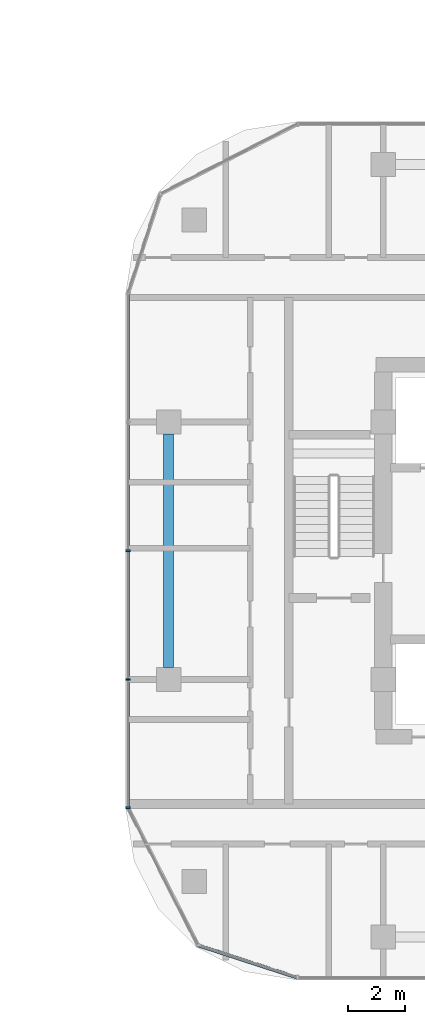
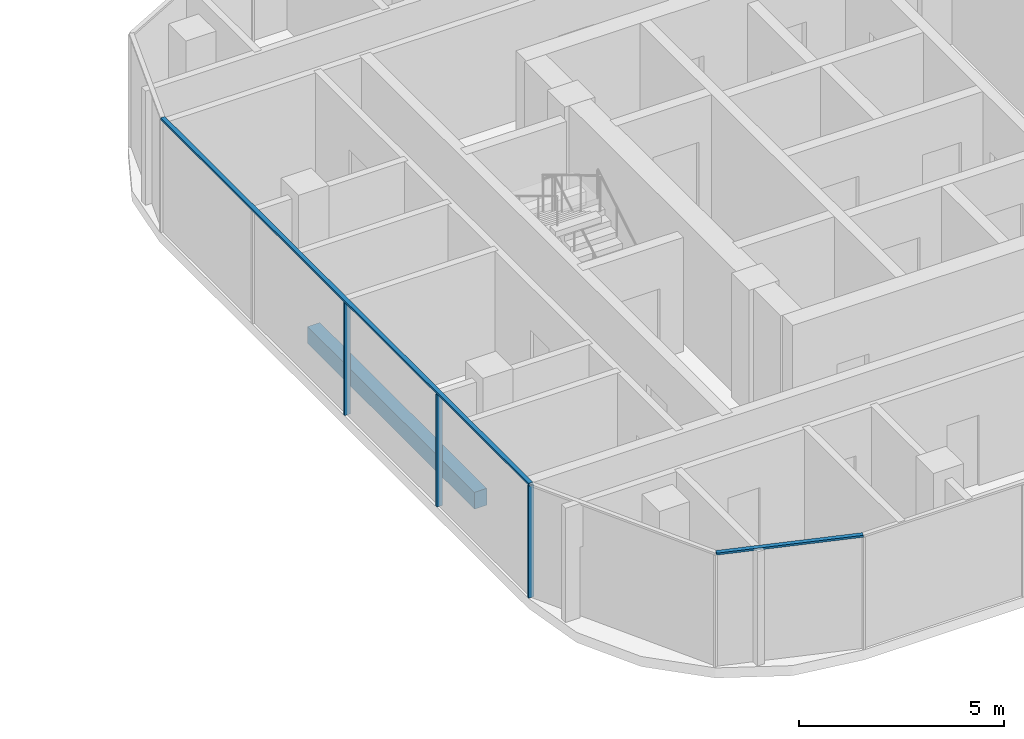
# One storey, part 6 of 31: 5 members, 1 beam, 2 elements without a shape of their own.
"""IFC4 building model written with IfcOpenShell, lengths in metres."""

from ifc_helpers import new_model, si_unit, direction, frame, origin, origin_2d, place, context, subcontext, project, spatial, rectangle, extrude, material, material_profile, profile_set, type_object, element, aggregate, save


model = new_model("IFC4")

# Units and contexts
model_context = context("Model", 3, precision=1e-05, world=origin(), true_north=direction((0.0, 1.0)))
body_context = subcontext(model_context, "Body", "Model", "MODEL_VIEW")
ifc_project = project(units=[si_unit("LENGTHUNIT", "METRE"), si_unit("AREAUNIT", "SQUARE_METRE"), si_unit("VOLUMEUNIT", "CUBIC_METRE"), si_unit("PLANEANGLEUNIT", "RADIAN"), si_unit("MASSUNIT", "GRAM", prefix="KILO")], contexts=[model_context])

# Site, building, storey
site_placement = place(None, origin())
site = spatial("IfcSite", under=ifc_project, at=site_placement, CompositionType="ELEMENT")
building_placement = place(site_placement, origin())
building = spatial("IfcBuilding", under=site, at=building_placement, Name="Ogive Portal Towers", CompositionType="ELEMENT")
storey_placement = place(building_placement, frame((0.0, 0.0, 74.199951171875)))
storey = spatial("IfcBuildingStorey", under=building, at=storey_placement, Name="L17", CompositionType="ELEMENT", Elevation=74.199951171875)

# Curtain wall, members
ifc_material_1 = material(Name="Glass, clear low-iron insulated glazing", Category="glass")
curtain_wall_type = type_object("IfcCurtainWallType", Name="CW RESIDENCES RIBBON", PredefinedType="NOTDEFINED", material=ifc_material_1)
curtain_wall_1_placement = place(storey_placement, origin())
curtain_wall_1 = element("IfcCurtainWall", 1, at=curtain_wall_1_placement, inside=storey, type_object=curtain_wall_type, Name="B:L17:f11:cw0", PredefinedType="NOTDEFINED")
ifc_material_2 = material(Name="Aluminium 6063 anodised", Category="aluminium")
ifc_material_profile_1 = material_profile(ifc_material_2, rectangle(XDim=0.159912109375, YDim=0.06005859375, at=origin_2d()), Name="AL 60x160")
ifc_profile_set_1 = profile_set([ifc_material_profile_1], Name="Aluminium 6063 anodised")
member_type_1 = type_object("IfcMemberType", Name="CW MULLION 60x160", PredefinedType="MULLION", material=ifc_profile_set_1)
member_1_placement = place(storey_placement, frame((120.080078125, 31.0, 0.0), z_axis=(0.0, 0.0, 1.0), x_axis=(1.0, 0.0, 0.0)))
member_1 = element("IfcMember", 2, at=member_1_placement, type_object=member_type_1, Name="mullion", PredefinedType="MULLION", context=body_context, shape_type="SweptSolid", body=[
    extrude(rectangle(XDim=0.159912109375, YDim=0.06005859375, at=origin_2d()), origin(), (0.0, 0.0, 1.0), 3.340087890625),
])
member_2_placement = place(storey_placement, frame((120.080078125, 26.5, 0.0), z_axis=(0.0, 0.0, 1.0), x_axis=(1.0, 0.0, 0.0)))
member_2 = element("IfcMember", 3, at=member_2_placement, type_object=member_type_1, Name="mullion", PredefinedType="MULLION", context=body_context, shape_type="SweptSolid", body=[
    extrude(rectangle(XDim=0.159912109375, YDim=0.06005859375, at=origin_2d()), origin(), (0.0, 0.0, 1.0), 3.340087890625),
])
member_3_placement = place(storey_placement, frame((120.080078125, 22.019287109375, 0.0), z_axis=(0.0, 0.0, 1.0), x_axis=(1.0, 0.0, 0.0)))
member_3 = element("IfcMember", 4, at=member_3_placement, type_object=member_type_1, Name="mullion", PredefinedType="MULLION", context=body_context, shape_type="SweptSolid", body=[
    extrude(rectangle(XDim=0.159912109375, YDim=0.06005859375, at=origin_2d()), origin(), (0.0, 0.0, 1.0), 3.340087890625),
])
ifc_material_profile_2 = material_profile(ifc_material_2, rectangle(XDim=0.1201171875, YDim=0.06005859375, at=origin_2d()), Name="AL 120x60")
ifc_profile_set_2 = profile_set([ifc_material_profile_2], Name="Aluminium 6063 anodised")
member_type_2 = type_object("IfcMemberType", Name="CW TRANSOM 60x120", PredefinedType="USERDEFINED", material=ifc_profile_set_2)
member_4_placement = place(storey_placement, frame((120.080078125, 39.9873046875, 3.3701171875), z_axis=(0.0, -1.0, 0.0), x_axis=(1.0, 0.0, 0.0)))
member_4 = element("IfcMember", 5, at=member_4_placement, type_object=member_type_2, Name="transom", ObjectType="TRANSOM", PredefinedType="USERDEFINED", context=body_context, shape_type="SweptSolid", body=[
    extrude(rectangle(XDim=0.1201171875, YDim=0.06005859375, at=origin_2d()), origin(), (0.0, 0.0, 1.0), 17.968017578125),
])
aggregate(curtain_wall_1, [member_4, member_1, member_2, member_3])

# Curtain wall, member
curtain_wall_2_placement = place(storey_placement, origin())
curtain_wall_2 = element("IfcCurtainWall", 6, at=curtain_wall_2_placement, inside=storey, type_object=curtain_wall_type, Name="B:L17:f00:cwa", PredefinedType="NOTDEFINED")
member_5_placement = place(storey_placement, frame((122.529541015625, 17.211669921875, 3.3701171875), z_axis=(0.951068844598, -0.308979049184, 0.0), x_axis=(0.308979049184, 0.951068844598, 0.0)))
member_5 = element("IfcMember", 7, at=member_5_placement, type_object=member_type_2, Name="transom", ObjectType="TRANSOM", PredefinedType="USERDEFINED", context=body_context, shape_type="SweptSolid", body=[
    extrude(rectangle(XDim=0.1201171875, YDim=0.06005859375, at=origin_2d()), origin(), (0.0, 0.0, 1.0), 3.662353515625),
])
aggregate(curtain_wall_2, [member_5])

# Beam
ifc_material_3 = material(Name="Concrete C50/60", Category="concrete")
ifc_material_profile_3 = material_profile(ifc_material_3, rectangle(XDim=0.35009765625, YDim=0.5, at=origin_2d()), Name="RC 350x500")
ifc_profile_set_3 = profile_set([ifc_material_profile_3], Name="Concrete C50/60")
beam_type = type_object("IfcBeamType", Name="SPANDREL BEAM RC 350x500", PredefinedType="BEAM", material=ifc_profile_set_3)
beam_placement = place(storey_placement, frame((121.5, 35.074951171875, -0.550048828125), z_axis=(0.0, -1.0, 0.0), x_axis=(1.0, 0.0, 0.0)))
element("IfcBeam", 8, at=beam_placement, inside=storey, type_object=beam_type, Name="Spandrel beam L17", PredefinedType="BEAM", context=body_context, shape_type="SweptSolid", body=[
    extrude(rectangle(XDim=0.35009765625, YDim=0.5, at=origin_2d()), origin(), (0.0, 0.0, 1.0), 8.14990234375),
])

save(model, "model.ifc")
